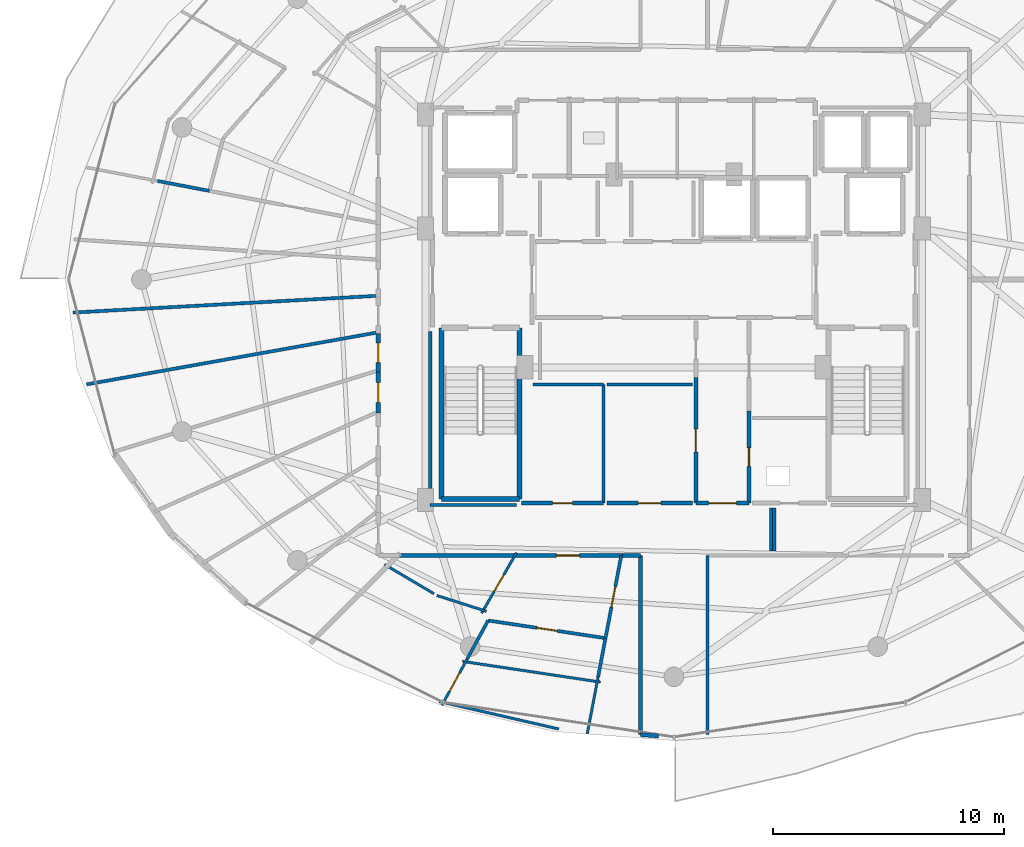
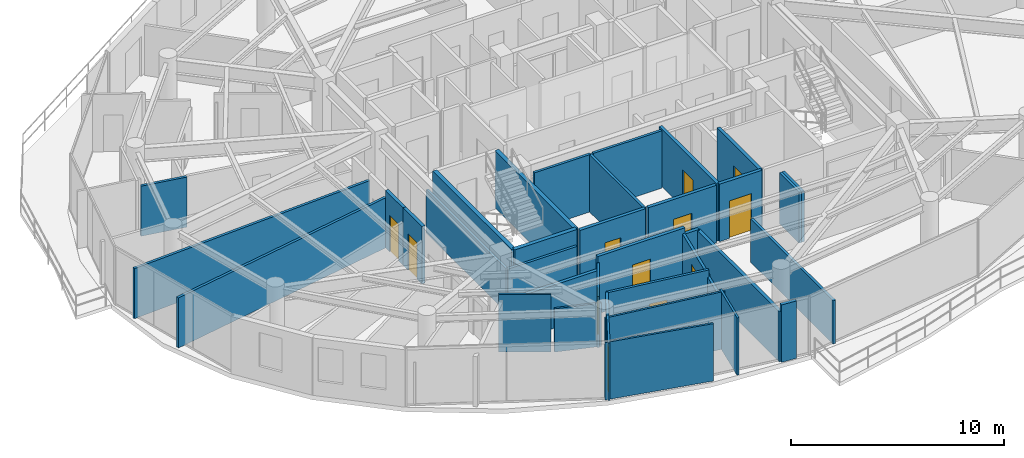
# One storey, part 21 of 29: 37 walls, 12 doors, 12 openings.
"""IFC4 building model written with IfcOpenShell, lengths in metres."""

from ifc_helpers import new_model, si_unit, direction, frame, frame_2d, origin, place, context, subcontext, project, spatial, rectangle, extrude, material, layer, layer_set, type_object, element, fill, save


model = new_model("IFC4")

# Units and contexts
model_context = context("Model", 3, precision=1e-05, world=origin(), true_north=direction((0.0, 1.0)))
body_context = subcontext(model_context, "Body", "Model", "MODEL_VIEW")
ifc_project = project(units=[si_unit("LENGTHUNIT", "METRE"), si_unit("AREAUNIT", "SQUARE_METRE"), si_unit("VOLUMEUNIT", "CUBIC_METRE"), si_unit("PLANEANGLEUNIT", "RADIAN"), si_unit("MASSUNIT", "GRAM", prefix="KILO")], contexts=[model_context])

# Site, building, storey
site_placement = place(None, origin())
site = spatial("IfcSite", under=ifc_project, at=site_placement, CompositionType="ELEMENT")
building_placement = place(site_placement, origin())
building = spatial("IfcBuilding", under=site, at=building_placement, Name="Vorneva Point Tower", CompositionType="ELEMENT")
storey_placement = place(building_placement, frame((0.0, 0.0, 273.300048828125)))
storey = spatial("IfcBuildingStorey", under=building, at=storey_placement, Name="L74", CompositionType="ELEMENT", Elevation=273.300048828125)

# Wall, opening, door
ifc_material_1 = material(Name="Fire-rated acoustic gypsum stud partition", Category="gypsum")
ifc_layer_1 = layer(ifc_material_1, 0.110107421875)
ifc_layer_set_1 = layer_set([ifc_layer_1], Name="Fire-rated acoustic gypsum stud partition")
wall_type_1 = type_object("IfcWallType", Name="WL-PART-110", PredefinedType="PARTITIONING", material=ifc_layer_set_1)
wall_1_placement = place(storey_placement, frame((31.183837890625, 14.17138671875, 0.0), z_axis=(0.0, 0.0, 1.0), x_axis=(-0.499203880251, -0.86648455609, 0.0)))
wall_1 = element("IfcWall", 1, at=wall_1_placement, inside=storey, type_object=wall_type_1, Name="L74 Interior Partition 097", PredefinedType="PARTITIONING", context=body_context, shape_type="SweptSolid", body=[
    extrude(rectangle(XDim=3.0166015625, YDim=0.110107421875, at=frame_2d((1.50830078125, 0.0))), origin(), (0.0, 0.0, 1.0), 2.924072265625),
])
opening_1_placement = place(wall_1_placement, frame((1.083251953125, 0.0, 0.0)))
opening_1 = element("IfcOpeningElement", 2, at=opening_1_placement, cuts=wall_1, Name="Opening ID-02", PredefinedType="OPENING", context=body_context, shape_type="SweptSolid", body=[
    extrude(rectangle(XDim=0.85009765625, YDim=2.10009765625, at=frame_2d((0.425048828125, 1.050048828125))), frame((0.0, 0.06982421875, 0.0), z_axis=(0.0, -1.0, 0.0), x_axis=(1.0, 0.0, 0.0)), (0.0, 0.0, 1.0), 0.139892578125),
])
ifc_material_2 = material(Name="Engineered oak fire-rated door leaf", Category="wood")
door_type_1 = type_object("IfcDoorType", Name="DR-BATH-850", OperationType="NOTDEFINED", PredefinedType="DOOR", material=ifc_material_2)
door_1_placement = place(opening_1_placement, origin())
door_1 = element("IfcDoor", 3, at=door_1_placement, inside=storey, type_object=door_type_1, Name="L74 Door Living and Dining Room L74-03 / Bathroom L74-03", OperationType="SINGLE_SWING_LEFT", OverallHeight=2.10009765625, OverallWidth=0.85009765625, PredefinedType="DOOR", context=body_context, shape_type="SweptSolid", body=[
    extrude(rectangle(XDim=0.85009765625, YDim=2.10009765625, at=frame_2d((0.425048828125, 1.050048828125))), frame((0.0, 0.02490234375, 0.0), z_axis=(0.0, -1.0, 0.0), x_axis=(1.0, 0.0, 0.0)), (0.0, 0.0, 1.0), 0.050048828125),
])
fill(opening_1, door_1)

# Walls
wall_2_placement = place(storey_placement, frame((29.88134765625, 11.636474609375, 0.0), z_axis=(0.0, 0.0, 1.0), x_axis=(-0.952713330874, 0.30387054674, 0.0)))
element("IfcWall", 4, at=wall_2_placement, inside=storey, type_object=wall_type_1, Name="L74 Interior Partition 098", PredefinedType="PARTITIONING", context=body_context, shape_type="SweptSolid", body=[
    extrude(rectangle(XDim=2.251220703125, YDim=0.110107421875, at=frame_2d((1.12548828125, 0.0))), origin(), (0.0, 0.0, 1.0), 2.48193359375),
])
wall_3_placement = place(storey_placement, frame((27.610595703125, 12.398681640625, 0.0), z_axis=(0.0, 0.0, 1.0), x_axis=(-0.860546797705, 0.509371386082, 0.0)))
element("IfcWall", 5, at=wall_3_placement, inside=storey, type_object=wall_type_1, Name="L74 Interior Partition 099", PredefinedType="PARTITIONING", context=body_context, shape_type="SweptSolid", body=[
    extrude(rectangle(XDim=2.484619140625, YDim=0.110107421875, at=frame_2d((1.2421875, 0.0))), origin(), (0.0, 0.0, 1.0), 3.2900390625),
])
wall_4_placement = place(storey_placement, frame((34.71630859375, 8.78857421875, 0.0), z_axis=(0.0, 0.0, 1.0), x_axis=(-0.187233159216, -0.982315501298, 0.0)))
element("IfcWall", 6, at=wall_4_placement, inside=storey, type_object=wall_type_1, Name="L74 Interior Partition 100", PredefinedType="PARTITIONING", context=body_context, shape_type="SweptSolid", body=[
    extrude(rectangle(XDim=2.502197265625, YDim=0.110107421875, at=frame_2d((1.2509765625, 0.0))), origin(), (0.0, 0.0, 1.0), 3.2900390625),
])
wall_5_placement = place(storey_placement, frame((27.82861328125, 7.7333984375, 0.0), z_axis=(0.0, 0.0, 1.0), x_axis=(0.974586324437, -0.224012268015, 0.0)))
element("IfcWall", 7, at=wall_5_placement, inside=storey, type_object=wall_type_1, Name="L74 Interior Partition 101", PredefinedType="PARTITIONING", context=body_context, shape_type="SweptSolid", body=[
    extrude(rectangle(XDim=5.324951171875, YDim=0.110107421875, at=frame_2d((2.66259765625, 0.0))), origin(), (0.0, 0.0, 1.0), 3.2900390625),
])

# Wall, opening, door
wall_6_placement = place(storey_placement, frame((27.9560546875, 7.566162109375, 0.0), z_axis=(0.0, 0.0, 1.0), x_axis=(0.478485169604, 0.878095634011, 0.0)))
wall_6 = element("IfcWall", 8, at=wall_6_placement, inside=storey, type_object=wall_type_1, Name="L74 Interior Partition 102", PredefinedType="PARTITIONING", context=body_context, shape_type="SweptSolid", body=[
    extrude(rectangle(XDim=2.284423828125, YDim=0.110107421875, at=frame_2d((1.14208984375, 0.0))), origin(), (0.0, 0.0, 1.0), 3.2900390625),
])
opening_2_placement = place(wall_6_placement, frame((0.692138671875, 0.0, 0.0)))
opening_2 = element("IfcOpeningElement", 9, at=opening_2_placement, cuts=wall_6, Name="Opening ID-01", PredefinedType="OPENING", context=body_context, shape_type="SweptSolid", body=[
    extrude(rectangle(XDim=0.89990234375, YDim=2.10009765625, at=frame_2d((0.449951171875, 1.050048828125))), frame((0.0, 0.06982421875, 0.0), z_axis=(0.0, -1.0, 0.0), x_axis=(1.0, 0.0, 0.0)), (0.0, 0.0, 1.0), 0.139892578125),
])
door_type_2 = type_object("IfcDoorType", Name="DR-ROOM-900", OperationType="NOTDEFINED", PredefinedType="DOOR", material=ifc_material_2)
door_2_placement = place(opening_2_placement, origin())
door_2 = element("IfcDoor", 10, at=door_2_placement, inside=storey, type_object=door_type_2, Name="L74 Door Living and Dining Room L74-03 / Kitchen L74-03", OperationType="SINGLE_SWING_LEFT", OverallHeight=2.10009765625, OverallWidth=0.89990234375, PredefinedType="DOOR", context=body_context, shape_type="SweptSolid", body=[
    extrude(rectangle(XDim=0.89990234375, YDim=2.10009765625, at=frame_2d((0.449951171875, 1.050048828125))), frame((0.0, 0.02490234375, 0.0), z_axis=(0.0, -1.0, 0.0), x_axis=(1.0, 0.0, 0.0)), (0.0, 0.0, 1.0), 0.050048828125),
])
fill(opening_2, door_2)

# Walls
wall_7_placement = place(storey_placement, frame((34.8173828125, 8.5712890625, 0.0), z_axis=(0.0, 0.0, 1.0), x_axis=(-0.988879067965, 0.148721850918, 0.0)))
element("IfcWall", 11, at=wall_7_placement, inside=storey, type_object=wall_type_1, Name="L74 Interior Partition 107", PredefinedType="PARTITIONING", context=body_context, shape_type="SweptSolid", body=[
    extrude(rectangle(XDim=6.041015625, YDim=0.110107421875, at=frame_2d((3.0205078125, 0.0))), origin(), (0.0, 0.0, 1.0), 3.2900390625),
])
ifc_layer_2 = layer(ifc_material_1, 0.139892578125)
ifc_layer_set_2 = layer_set([ifc_layer_2], Name="Fire-rated acoustic gypsum stud partition")
wall_type_2 = type_object("IfcWallType", Name="WL-PART-140", PredefinedType="PARTITIONING", material=ifc_layer_set_2)
wall_8_placement = place(storey_placement, frame((34.949951171875, 16.320068359375, 0.0), z_axis=(0.0, 0.0, 1.0), x_axis=(0.0, 1.0, 0.0)))
element("IfcWall", 12, at=wall_8_placement, inside=storey, type_object=wall_type_2, Name="L74 Interior Partition 033", PredefinedType="PARTITIONING", context=body_context, shape_type="SweptSolid", body=[
    extrude(rectangle(XDim=5.1298828125, YDim=0.139892578125, at=frame_2d((2.56494140625, 0.0))), origin(), (0.0, 0.0, 1.0), 3.2900390625),
])
wall_9_placement = place(storey_placement, frame((34.949951171875, 21.449951171875, 0.0), z_axis=(0.0, 0.0, 1.0), x_axis=(-1.0, 0.0, 0.0)))
element("IfcWall", 13, at=wall_9_placement, inside=storey, type_object=wall_type_2, Name="L74 Interior Partition 034", PredefinedType="PARTITIONING", context=body_context, shape_type="SweptSolid", body=[
    extrude(rectangle(XDim=3.054931640625, YDim=0.139892578125, at=frame_2d((1.52734375, 0.0))), origin(), (0.0, 0.0, 1.0), 3.2900390625),
])
wall_10_placement = place(storey_placement, frame((38.800048828125, 21.449951171875, 0.0), z_axis=(0.0, 0.0, 1.0), x_axis=(-1.0, 0.0, 0.0)))
element("IfcWall", 14, at=wall_10_placement, inside=storey, type_object=wall_type_2, Name="L74 Interior Partition 036", PredefinedType="PARTITIONING", context=body_context, shape_type="SweptSolid", body=[
    extrude(rectangle(XDim=3.699951171875, YDim=0.139892578125, at=frame_2d((1.85009765625, 0.0))), origin(), (0.0, 0.0, 1.0), 3.2900390625),
])
wall_11_placement = place(storey_placement, frame((17.888916015625, 29.8369140625, 0.0), z_axis=(0.0, 0.0, 1.0), x_axis=(-0.982294524987, 0.187343177568, 0.0)))
element("IfcWall", 15, at=wall_11_placement, inside=storey, type_object=wall_type_2, Name="L74 Interior Partition 083", PredefinedType="PARTITIONING", context=body_context, shape_type="SweptSolid", body=[
    extrude(rectangle(XDim=2.28173828125, YDim=0.139892578125, at=frame_2d((1.140869140625, 0.0))), origin(), (0.0, 0.0, 1.0), 2.8740234375),
])
wall_12_placement = place(storey_placement, frame((11.987060546875, 24.568115234375, 0.0), z_axis=(0.0, 0.0, 1.0), x_axis=(0.998486468265, 0.054997933516, 0.0)))
element("IfcWall", 16, at=wall_12_placement, inside=storey, type_object=wall_type_2, Name="L74 Interior Partition 089", PredefinedType="PARTITIONING", context=body_context, shape_type="SweptSolid", body=[
    extrude(rectangle(XDim=13.23291015625, YDim=0.139892578125, at=frame_2d((6.616455078125, 0.0))), origin(), (0.0, 0.0, 1.0), 2.8740234375),
])
wall_13_placement = place(storey_placement, frame((12.576904296875, 21.4599609375, 0.0), z_axis=(0.0, 0.0, 1.0), x_axis=(0.984427104809, 0.175793274383, 0.0)))
element("IfcWall", 17, at=wall_13_placement, inside=storey, type_object=wall_type_2, Name="L74 Interior Partition 090", PredefinedType="PARTITIONING", context=body_context, shape_type="SweptSolid", body=[
    extrude(rectangle(XDim=12.82275390625, YDim=0.139892578125, at=frame_2d((6.411376953125, 0.0))), origin(), (0.0, 0.0, 1.0), 2.8740234375),
])

# Wall, opening, door
wall_14_placement = place(storey_placement, frame((29.95703125, 11.238037109375, 0.0), z_axis=(0.0, 0.0, 1.0), x_axis=(0.988886109078, -0.148675025721, 0.0)))
wall_14 = element("IfcWall", 18, at=wall_14_placement, inside=storey, type_object=wall_type_2, Name="L74 Interior Partition 103", PredefinedType="PARTITIONING", context=body_context, shape_type="SweptSolid", body=[
    extrude(rectangle(XDim=5.13818359375, YDim=0.139892578125, at=frame_2d((2.569091796875, 0.0))), origin(), (0.0, 0.0, 1.0), 3.2900390625),
])
opening_3_placement = place(wall_14_placement, frame((2.119140625, 0.0, 0.0)))
opening_3 = element("IfcOpeningElement", 19, at=opening_3_placement, cuts=wall_14, Name="Opening ID-01", PredefinedType="OPENING", context=body_context, shape_type="SweptSolid", body=[
    extrude(rectangle(XDim=0.89990234375, YDim=2.10009765625, at=frame_2d((0.449951171875, 1.050048828125))), frame((0.0, 0.0849609375, 0.0), z_axis=(0.0, -1.0, 0.0), x_axis=(1.0, 0.0, 0.0)), (0.0, 0.0, 1.0), 0.169677734375),
])
door_3_placement = place(opening_3_placement, origin())
door_3 = element("IfcDoor", 20, at=door_3_placement, inside=storey, type_object=door_type_2, Name="L74 Door Living and Dining Room L74-03 / Study Room L74-03", OperationType="SINGLE_SWING_LEFT", OverallHeight=2.10009765625, OverallWidth=0.89990234375, PredefinedType="DOOR", context=body_context, shape_type="SweptSolid", body=[
    extrude(rectangle(XDim=0.89990234375, YDim=2.10009765625, at=frame_2d((0.449951171875, 1.050048828125))), frame((0.0, 0.02490234375, 0.0), z_axis=(0.0, -1.0, 0.0), x_axis=(1.0, 0.0, 0.0)), (0.0, 0.0, 1.0), 0.050048828125),
])
fill(opening_3, door_3)

# Walls
wall_15_placement = place(storey_placement, frame((35.0380859375, 10.47412109375, 0.0), z_axis=(0.0, 0.0, 1.0), x_axis=(-0.187353972187, -0.982292466176, 0.0)))
element("IfcWall", 21, at=wall_15_placement, inside=storey, type_object=wall_type_2, Name="L74 Interior Partition 104", PredefinedType="PARTITIONING", context=body_context, shape_type="SweptSolid", body=[
    extrude(rectangle(XDim=1.716064453125, YDim=0.139892578125, at=frame_2d((0.85791015625, 0.0))), origin(), (0.0, 0.0, 1.0), 2.8740234375),
])
wall_16_placement = place(storey_placement, frame((29.049072265625, 9.572021484375, 0.0), z_axis=(0.0, 0.0, 1.0), x_axis=(0.478536562944, 0.878067627194, 0.0)))
element("IfcWall", 22, at=wall_16_placement, inside=storey, type_object=wall_type_2, Name="L74 Interior Partition 105", PredefinedType="PARTITIONING", context=body_context, shape_type="SweptSolid", body=[
    extrude(rectangle(XDim=1.8974609375, YDim=0.139892578125, at=frame_2d((0.94873046875, 0.0))), origin(), (0.0, 0.0, 1.0), 3.2900390625),
])

# Wall, opening, door
wall_17_placement = place(storey_placement, frame((35.0380859375, 10.47412109375, 0.0), z_axis=(0.0, 0.0, 1.0), x_axis=(0.187312418361, 0.982300390882, 0.0)))
wall_17 = element("IfcWall", 23, at=wall_17_placement, inside=storey, type_object=wall_type_2, Name="L74 Interior Partition 106", PredefinedType="PARTITIONING", context=body_context, shape_type="SweptSolid", body=[
    extrude(rectangle(XDim=3.640380859375, YDim=0.139892578125, at=frame_2d((1.8203125, 0.0))), origin(), (0.0, 0.0, 1.0), 2.97900390625),
])
opening_4_placement = place(wall_17_placement, frame((1.3701171875, 0.0, 0.0)))
opening_4 = element("IfcOpeningElement", 24, at=opening_4_placement, cuts=wall_17, Name="Opening ID-01", PredefinedType="OPENING", context=body_context, shape_type="SweptSolid", body=[
    extrude(rectangle(XDim=0.89990234375, YDim=2.10009765625, at=frame_2d((0.449951171875, 1.050048828125))), frame((0.0, 0.0849609375, 0.0), z_axis=(0.0, -1.0, 0.0), x_axis=(1.0, 0.0, 0.0)), (0.0, 0.0, 1.0), 0.169677734375),
])
door_4_placement = place(opening_4_placement, origin())
door_4 = element("IfcDoor", 25, at=door_4_placement, inside=storey, type_object=door_type_2, Name="L74 Door Living and Dining Room L74-03 / Master Bedroom L74-03.1", OperationType="SINGLE_SWING_RIGHT", OverallHeight=2.10009765625, OverallWidth=0.89990234375, PredefinedType="DOOR", context=body_context, shape_type="SweptSolid", body=[
    extrude(rectangle(XDim=0.89990234375, YDim=2.10009765625, at=frame_2d((0.449951171875, 1.050048828125))), frame((0.0, 0.02490234375, 0.0), z_axis=(0.0, -1.0, 0.0), x_axis=(1.0, 0.0, 0.0)), (0.0, 0.0, 1.0), 0.050048828125),
])
fill(opening_4, door_4)

# Walls
wall_18_placement = place(storey_placement, frame((39.449951171875, 6.299072265625, 0.0), z_axis=(0.0, 0.0, 1.0), x_axis=(0.0, 1.0, 0.0)))
element("IfcWall", 26, at=wall_18_placement, inside=storey, type_object=wall_type_2, Name="L74 Interior Closure Partition 120", PredefinedType="PARTITIONING", context=body_context, shape_type="SweptSolid", body=[
    extrude(rectangle(XDim=7.7509765625, YDim=0.139892578125, at=frame_2d((3.87548828125, 0.0))), origin(), (0.0, 0.0, 1.0), 2.48193359375),
])
wall_19_placement = place(storey_placement, frame((27.449951171875, 23.75390625, 0.0), z_axis=(0.0, 0.0, 1.0), x_axis=(0.0, -1.0, 0.0)))
element("IfcWall", 27, at=wall_19_placement, inside=storey, type_object=wall_type_2, Name="L74 Interior Closure Partition 129", PredefinedType="PARTITIONING", context=body_context, shape_type="SweptSolid", body=[
    extrude(rectangle(XDim=7.513916015625, YDim=0.139892578125, at=frame_2d((3.7568359375, 0.0))), origin(), (0.0, 0.0, 1.0), 2.48193359375),
])
wall_20_placement = place(storey_placement, frame((27.449951171875, 16.239990234375, 0.0), z_axis=(0.0, 0.0, 1.0), x_axis=(1.0, 0.0, 0.0)))
element("IfcWall", 28, at=wall_20_placement, inside=storey, type_object=wall_type_2, Name="L74 Interior Closure Partition 130", PredefinedType="PARTITIONING", context=body_context, shape_type="SweptSolid", body=[
    extrude(rectangle(XDim=3.7451171875, YDim=0.139892578125, at=frame_2d((1.87255859375, 0.0))), origin(), (0.0, 0.0, 1.0), 2.48193359375),
])
for number, where, z_axis, x_axis, name in (
    (29, (42.199951171875, 16.10009765625, 0.0), (0.0, 0.0, 1.0), (0.0, -1.0, 0.0), "L74 Interior Closure Partition 131"),
    (30, (42.340087890625, 14.25, 0.0), (0.0, 0.0, 1.0), (0.0, 1.0, 0.0), "L74 Interior Closure Partition 132"),
):
    element("IfcWall", number, at=place(storey_placement, frame(where, z_axis=z_axis, x_axis=x_axis)), inside=storey, type_object=wall_type_2, Name=name, PredefinedType="PARTITIONING", context=body_context, shape_type="SweptSolid", body=[
        extrude(rectangle(XDim=1.85009765625, YDim=0.139892578125, at=frame_2d((0.925048828125, 0.0))), origin(), (0.0, 0.0, 1.0), 2.924072265625),
    ])

# Wall, opening, door
ifc_material_3 = material(Name="Autoclaved aerated concrete blockwork", Category="masonry")
ifc_layer_3 = layer(ifc_material_3, 0.179931640625)
ifc_layer_set_3 = layer_set([ifc_layer_3], Name="Autoclaved aerated concrete blockwork")
wall_type_3 = type_object("IfcWallType", Name="WL-PART-180", PredefinedType="PARTITIONING", material=ifc_layer_set_3)
wall_21_placement = place(storey_placement, frame((41.25, 16.320068359375, 0.0), z_axis=(0.0, 0.0, 1.0), x_axis=(0.0, 1.0, 0.0)))
wall_21 = element("IfcWall", 31, at=wall_21_placement, inside=storey, type_object=wall_type_3, Name="L74 Interior Partition 015", PredefinedType="PARTITIONING", context=body_context, shape_type="SweptSolid", body=[
    extrude(rectangle(XDim=3.98486328125, YDim=0.179931640625, at=frame_2d((1.992431640625, 0.0))), origin(), (0.0, 0.0, 1.0), 3.2900390625),
])
opening_5_placement = place(wall_21_placement, frame((1.592529296875, 0.0, 0.0)))
opening_5 = element("IfcOpeningElement", 32, at=opening_5_placement, cuts=wall_21, Name="Opening RD-01", PredefinedType="OPENING", context=body_context, shape_type="SweptSolid", body=[
    extrude(rectangle(XDim=0.800048828125, YDim=2.050048828125, at=frame_2d((0.39990234375, 1.02490234375))), frame((0.0, 0.10498046875, 0.0), z_axis=(0.0, -1.0, 0.0), x_axis=(1.0, 0.0, 0.0)), (0.0, 0.0, 1.0), 0.209716796875),
])
ifc_material_4 = material(Name="Fire-rated powder-coated steel", Category="steel")
door_type_3 = type_object("IfcDoorType", Name="DR-RSR-800", OperationType="SINGLE_SWING_LEFT", PredefinedType="DOOR", material=ifc_material_4)
door_5_placement = place(opening_5_placement, origin())
door_5 = element("IfcDoor", 33, at=door_5_placement, inside=storey, type_object=door_type_3, Name="L74 Door Core Service Lobby / Electrical Riser", OperationType="SINGLE_SWING_LEFT", OverallHeight=2.050048828125, OverallWidth=0.800048828125, PredefinedType="DOOR", context=body_context, shape_type="SweptSolid", body=[
    extrude(rectangle(XDim=0.800048828125, YDim=2.050048828125, at=frame_2d((0.39990234375, 1.02490234375))), frame((0.0, 0.02490234375, 0.0), z_axis=(0.0, -1.0, 0.0), x_axis=(1.0, 0.0, 0.0)), (0.0, 0.0, 1.0), 0.050048828125),
])
fill(opening_5, door_5)

wall_22_placement = place(storey_placement, frame((38.949951171875, 21.7548828125, 0.0), z_axis=(0.0, 0.0, 1.0), x_axis=(0.0, -1.0, 0.0)))
wall_22 = element("IfcWall", 34, at=wall_22_placement, inside=storey, type_object=wall_type_3, Name="L74 Interior Partition 017", PredefinedType="PARTITIONING", context=body_context, shape_type="SweptSolid", body=[
    extrude(rectangle(XDim=5.434814453125, YDim=0.179931640625, at=frame_2d((2.71728515625, 0.0))), origin(), (0.0, 0.0, 1.0), 3.2900390625),
])
opening_6_placement = place(wall_22_placement, frame((2.217529296875, 0.0, 0.0)))
opening_6 = element("IfcOpeningElement", 35, at=opening_6_placement, cuts=wall_22, Name="Opening UD-01", PredefinedType="OPENING", context=body_context, shape_type="SweptSolid", body=[
    extrude(rectangle(XDim=1.0, YDim=2.14990234375, at=frame_2d((0.5, 1.074951171875))), frame((0.0, 0.10498046875, 0.0), z_axis=(0.0, -1.0, 0.0), x_axis=(1.0, 0.0, 0.0)), (0.0, 0.0, 1.0), 0.209716796875),
])
door_type_4 = type_object("IfcDoorType", Name="DR-UNIT-1000", OperationType="NOTDEFINED", PredefinedType="DOOR", material=ifc_material_2)
door_6_placement = place(opening_6_placement, origin())
door_6 = element("IfcDoor", 36, at=door_6_placement, inside=storey, type_object=door_type_4, Name="L74 Door Core Service Lobby / Staff Service Pantry", OperationType="SINGLE_SWING_LEFT", OverallHeight=2.14990234375, OverallWidth=1.0, PredefinedType="DOOR", context=body_context, shape_type="SweptSolid", body=[
    extrude(rectangle(XDim=1.0, YDim=2.14990234375, at=frame_2d((0.5, 1.074951171875))), frame((0.0, 0.02490234375, 0.0), z_axis=(0.0, -1.0, 0.0), x_axis=(1.0, 0.0, 0.0)), (0.0, 0.0, 1.0), 0.050048828125),
])
fill(opening_6, door_6)

wall_23_placement = place(storey_placement, frame((38.949951171875, 16.320068359375, 0.0), z_axis=(0.0, 0.0, 1.0), x_axis=(1.0, 0.0, 0.0)))
wall_23 = element("IfcWall", 37, at=wall_23_placement, inside=storey, type_object=wall_type_3, Name="L74 Interior Partition 019", PredefinedType="PARTITIONING", context=body_context, shape_type="SweptSolid", body=[
    extrude(rectangle(XDim=2.300048828125, YDim=0.179931640625, at=frame_2d((1.14990234375, 0.0))), origin(), (0.0, 0.0, 1.0), 3.2900390625),
])
opening_7_placement = place(wall_23_placement, frame((0.550048828125, 0.0, 0.0)))
opening_7 = element("IfcOpeningElement", 38, at=opening_7_placement, cuts=wall_23, Name="Opening FD-02", PredefinedType="OPENING", context=body_context, shape_type="SweptSolid", body=[
    extrude(rectangle(XDim=1.199951171875, YDim=2.14990234375, at=frame_2d((0.60009765625, 1.074951171875))), frame((0.0, 0.10498046875, 0.0), z_axis=(0.0, -1.0, 0.0), x_axis=(1.0, 0.0, 0.0)), (0.0, 0.0, 1.0), 0.209716796875),
])
door_type_5 = type_object("IfcDoorType", Name="DR-FFL-1200", OperationType="NOTDEFINED", PredefinedType="DOOR", material=ifc_material_4)
door_7_placement = place(opening_7_placement, origin())
door_7 = element("IfcDoor", 39, at=door_7_placement, inside=storey, type_object=door_type_5, Name="L74 Door Core Service Lobby / L74 Circulation Corridor", OperationType="SINGLE_SWING_LEFT", OverallHeight=2.14990234375, OverallWidth=1.199951171875, PredefinedType="DOOR", context=body_context, shape_type="SweptSolid", body=[
    extrude(rectangle(XDim=1.199951171875, YDim=2.14990234375, at=frame_2d((0.60009765625, 1.074951171875))), frame((0.0, 0.02490234375, 0.0), z_axis=(0.0, -1.0, 0.0), x_axis=(1.0, 0.0, 0.0)), (0.0, 0.0, 1.0), 0.050048828125),
])
fill(opening_7, door_7)

wall_24_placement = place(storey_placement, frame((31.39990234375, 16.320068359375, 0.0), z_axis=(0.0, 0.0, 1.0), x_axis=(1.0, 0.0, 0.0)))
wall_24 = element("IfcWall", 40, at=wall_24_placement, inside=storey, type_object=wall_type_3, Name="L74 Interior Partition 035", PredefinedType="PARTITIONING", context=body_context, shape_type="SweptSolid", body=[
    extrude(rectangle(XDim=3.550048828125, YDim=0.179931640625, at=frame_2d((1.77490234375, 0.0))), origin(), (0.0, 0.0, 1.0), 3.2900390625),
])
opening_8_placement = place(wall_24_placement, frame((1.35009765625, 0.0, 0.0)))
opening_8 = element("IfcOpeningElement", 41, at=opening_8_placement, cuts=wall_24, Name="Opening ID-02", PredefinedType="OPENING", context=body_context, shape_type="SweptSolid", body=[
    extrude(rectangle(XDim=0.85009765625, YDim=2.10009765625, at=frame_2d((0.425048828125, 1.050048828125))), frame((0.0, 0.10498046875, 0.0), z_axis=(0.0, -1.0, 0.0), x_axis=(1.0, 0.0, 0.0)), (0.0, 0.0, 1.0), 0.209716796875),
])
door_8_placement = place(opening_8_placement, origin())
door_8 = element("IfcDoor", 42, at=door_8_placement, inside=storey, type_object=door_type_1, Name="L74 Door Luggage Store / L74 Circulation Corridor", OperationType="SINGLE_SWING_LEFT", OverallHeight=2.10009765625, OverallWidth=0.85009765625, PredefinedType="DOOR", context=body_context, shape_type="SweptSolid", body=[
    extrude(rectangle(XDim=0.85009765625, YDim=2.10009765625, at=frame_2d((0.425048828125, 1.050048828125))), frame((0.0, 0.02490234375, 0.0), z_axis=(0.0, -1.0, 0.0), x_axis=(1.0, 0.0, 0.0)), (0.0, 0.0, 1.0), 0.050048828125),
])
fill(opening_8, door_8)

wall_25_placement = place(storey_placement, frame((35.10009765625, 16.320068359375, 0.0), z_axis=(0.0, 0.0, 1.0), x_axis=(1.0, 0.0, 0.0)))
wall_25 = element("IfcWall", 43, at=wall_25_placement, inside=storey, type_object=wall_type_3, Name="L74 Interior Partition 037", PredefinedType="PARTITIONING", context=body_context, shape_type="SweptSolid", body=[
    extrude(rectangle(XDim=3.699951171875, YDim=0.179931640625, at=frame_2d((1.85009765625, 0.0))), origin(), (0.0, 0.0, 1.0), 3.2900390625),
])
opening_9_placement = place(wall_25_placement, frame((1.35009765625, 0.0, 0.0)))
opening_9 = element("IfcOpeningElement", 44, at=opening_9_placement, cuts=wall_25, Name="Opening UD-01", PredefinedType="OPENING", context=body_context, shape_type="SweptSolid", body=[
    extrude(rectangle(XDim=1.0, YDim=2.14990234375, at=frame_2d((0.5, 1.074951171875))), frame((0.0, 0.10498046875, 0.0), z_axis=(0.0, -1.0, 0.0), x_axis=(1.0, 0.0, 0.0)), (0.0, 0.0, 1.0), 0.209716796875),
])
door_9_placement = place(opening_9_placement, origin())
door_9 = element("IfcDoor", 45, at=door_9_placement, inside=storey, type_object=door_type_4, Name="L74 Door Staff Service Pantry / L74 Circulation Corridor", OperationType="SINGLE_SWING_RIGHT", OverallHeight=2.14990234375, OverallWidth=1.0, PredefinedType="DOOR", context=body_context, shape_type="SweptSolid", body=[
    extrude(rectangle(XDim=1.0, YDim=2.14990234375, at=frame_2d((0.5, 1.074951171875))), frame((0.0, 0.02490234375, 0.0), z_axis=(0.0, -1.0, 0.0), x_axis=(1.0, 0.0, 0.0)), (0.0, 0.0, 1.0), 0.050048828125),
])
fill(opening_9, door_9)

wall_26_placement = place(storey_placement, frame((25.199951171875, 23.653076171875, 0.0), z_axis=(0.0, 0.0, 1.0), x_axis=(0.0, -1.0, 0.0)))
wall_26 = element("IfcWall", 46, at=wall_26_placement, inside=storey, type_object=wall_type_3, Name="L74 Interior Partition 048", PredefinedType="PARTITIONING", context=body_context, shape_type="SweptSolid", body=[
    extrude(rectangle(XDim=1.654052734375, YDim=0.179931640625, at=frame_2d((0.8271484375, 0.0))), origin(), (0.0, 0.0, 1.0), 3.2900390625),
])
opening_10_placement = place(wall_26_placement, frame((0.402099609375, 0.0, 0.0)))
opening_10 = element("IfcOpeningElement", 47, at=opening_10_placement, cuts=wall_26, Name="Opening ID-02", PredefinedType="OPENING", context=body_context, shape_type="SweptSolid", body=[
    extrude(rectangle(XDim=0.85009765625, YDim=2.10009765625, at=frame_2d((0.425048828125, 1.050048828125))), frame((0.0, 0.10498046875, 0.0), z_axis=(0.0, -1.0, 0.0), x_axis=(1.0, 0.0, 0.0)), (0.0, 0.0, 1.0), 0.209716796875),
])
door_10_placement = place(opening_10_placement, origin())
door_10 = element("IfcDoor", 48, at=door_10_placement, inside=storey, type_object=door_type_1, Name="L74 Access Door L74 Circulation Corridor", OperationType="SINGLE_SWING_LEFT", OverallHeight=2.10009765625, OverallWidth=0.85009765625, PredefinedType="DOOR", context=body_context, shape_type="SweptSolid", body=[
    extrude(rectangle(XDim=0.85009765625, YDim=2.10009765625, at=frame_2d((0.425048828125, 1.050048828125))), frame((0.0, 0.02490234375, 0.0), z_axis=(0.0, -1.0, 0.0), x_axis=(1.0, 0.0, 0.0)), (0.0, 0.0, 1.0), 0.050048828125),
])
fill(opening_10, door_10)

wall_27_placement = place(storey_placement, frame((25.199951171875, 21.9990234375, 0.0), z_axis=(0.0, 0.0, 1.0), x_axis=(0.0, -1.0, 0.0)))
wall_27 = element("IfcWall", 49, at=wall_27_placement, inside=storey, type_object=wall_type_3, Name="L74 Interior Partition 049", PredefinedType="PARTITIONING", context=body_context, shape_type="SweptSolid", body=[
    extrude(rectangle(XDim=1.783935546875, YDim=0.179931640625, at=frame_2d((0.89208984375, 0.0))), origin(), (0.0, 0.0, 1.0), 3.2900390625),
])
opening_11_placement = place(wall_27_placement, frame((0.467041015625, 0.0, 0.0)))
opening_11 = element("IfcOpeningElement", 50, at=opening_11_placement, cuts=wall_27, Name="Opening ID-02", PredefinedType="OPENING", context=body_context, shape_type="SweptSolid", body=[
    extrude(rectangle(XDim=0.85009765625, YDim=2.10009765625, at=frame_2d((0.425048828125, 1.050048828125))), frame((0.0, 0.10498046875, 0.0), z_axis=(0.0, -1.0, 0.0), x_axis=(1.0, 0.0, 0.0)), (0.0, 0.0, 1.0), 0.209716796875),
])
door_11_placement = place(opening_11_placement, origin())
door_11 = element("IfcDoor", 51, at=door_11_placement, inside=storey, type_object=door_type_1, Name="L74 Access Door L74 Circulation Corridor", OperationType="SINGLE_SWING_RIGHT", OverallHeight=2.10009765625, OverallWidth=0.85009765625, PredefinedType="DOOR", context=body_context, shape_type="SweptSolid", body=[
    extrude(rectangle(XDim=0.85009765625, YDim=2.10009765625, at=frame_2d((0.425048828125, 1.050048828125))), frame((0.0, 0.02490234375, 0.0), z_axis=(0.0, -1.0, 0.0), x_axis=(1.0, 0.0, 0.0)), (0.0, 0.0, 1.0), 0.050048828125),
])
fill(opening_11, door_11)

wall_28_placement = place(storey_placement, frame((31.044921875, 14.050048828125, 0.0), z_axis=(0.0, 0.0, 1.0), x_axis=(1.0, 0.0, 0.0)))
wall_28 = element("IfcWall", 52, at=wall_28_placement, inside=storey, type_object=wall_type_3, Name="L74 Interior Partition 054", PredefinedType="PARTITIONING", context=body_context, shape_type="SweptSolid", body=[
    extrude(rectangle(XDim=4.735107421875, YDim=0.179931640625, at=frame_2d((2.36767578125, 0.0))), origin(), (0.0, 0.0, 1.0), 3.2900390625),
])
opening_12_placement = place(wall_28_placement, frame((1.867431640625, 0.0, 0.0)))
opening_12 = element("IfcOpeningElement", 53, at=opening_12_placement, cuts=wall_28, Name="Opening UD-01", PredefinedType="OPENING", context=body_context, shape_type="SweptSolid", body=[
    extrude(rectangle(XDim=1.0, YDim=2.14990234375, at=frame_2d((0.5, 1.074951171875))), frame((0.0, 0.10498046875, 0.0), z_axis=(0.0, -1.0, 0.0), x_axis=(1.0, 0.0, 0.0)), (0.0, 0.0, 1.0), 0.209716796875),
])
door_12_placement = place(opening_12_placement, origin())
door_12 = element("IfcDoor", 54, at=door_12_placement, inside=storey, type_object=door_type_4, Name="L74 Door L74 Circulation Corridor / Living and Dining Room L74-03", OperationType="SINGLE_SWING_LEFT", OverallHeight=2.14990234375, OverallWidth=1.0, PredefinedType="DOOR", context=body_context, shape_type="SweptSolid", body=[
    extrude(rectangle(XDim=1.0, YDim=2.14990234375, at=frame_2d((0.5, 1.074951171875))), frame((0.0, 0.02490234375, 0.0), z_axis=(0.0, -1.0, 0.0), x_axis=(1.0, 0.0, 0.0)), (0.0, 0.0, 1.0), 0.050048828125),
])
fill(opening_12, door_12)

# Walls
wall_29_placement = place(storey_placement, frame((25.969970703125, 14.050048828125, 0.0), z_axis=(0.0, 0.0, 1.0), x_axis=(1.0, 0.0, 0.0)))
element("IfcWall", 55, at=wall_29_placement, inside=storey, type_object=wall_type_3, Name="L74 Interior Partition 055", PredefinedType="PARTITIONING", context=body_context, shape_type="SweptSolid", body=[
    extrude(rectangle(XDim=5.215087890625, YDim=0.179931640625, at=frame_2d((2.607421875, 0.0))), origin(), (0.0, 0.0, 1.0), 2.48193359375),
])
wall_30_placement = place(storey_placement, frame((35.780029296875, 14.050048828125, 0.0), z_axis=(0.0, 0.0, 1.0), x_axis=(1.0, 0.0, 0.0)))
element("IfcWall", 56, at=wall_30_placement, inside=storey, type_object=wall_type_3, Name="L74 Interior Partition 056", PredefinedType="PARTITIONING", context=body_context, shape_type="SweptSolid", body=[
    extrude(rectangle(XDim=0.77001953125, YDim=0.179931640625, at=frame_2d((0.385009765625, 0.0))), origin(), (0.0, 0.0, 1.0), 2.924072265625),
])
wall_31_placement = place(storey_placement, frame((36.550048828125, 14.050048828125, 0.0), z_axis=(0.0, 0.0, 1.0), x_axis=(0.0, -1.0, 0.0)))
element("IfcWall", 57, at=wall_31_placement, inside=storey, type_object=wall_type_3, Name="L74 Interior Partition 057", PredefinedType="PARTITIONING", context=body_context, shape_type="SweptSolid", body=[
    extrude(rectangle(XDim=7.7509765625, YDim=0.179931640625, at=frame_2d((3.87548828125, 0.0))), origin(), (0.0, 0.0, 1.0), 2.8740234375),
])
wall_32_placement = place(storey_placement, frame((36.550048828125, 6.299072265625, 0.0), z_axis=(0.0, 0.0, 1.0), x_axis=(0.997136622012, -0.0756211415, 0.0)))
element("IfcWall", 58, at=wall_32_placement, inside=storey, type_object=wall_type_3, Name="L74 Interior Partition 058", PredefinedType="PARTITIONING", context=body_context, shape_type="SweptSolid", body=[
    extrude(rectangle(XDim=0.78125, YDim=0.179931640625, at=frame_2d((0.390625, 0.0))), origin(), (0.0, 0.0, 1.0), 3.2900390625),
])
ifc_material_5 = material(Name="Concrete B50 (C40/50)", Category="concrete")
ifc_layer_4 = layer(ifc_material_5, 0.219970703125)
ifc_layer_set_4 = layer_set([ifc_layer_4], Name="Concrete B50 (C40/50)")
wall_type_4 = type_object("IfcWallType", Name="WL-SHFT-220", PredefinedType="SOLIDWALL", material=ifc_layer_set_4)
wall_33_placement = place(storey_placement, frame((31.31005859375, 23.909912109375, 0.0), z_axis=(0.0, 0.0, 1.0), x_axis=(0.0, -1.0, 0.0)))
element("IfcWall", 59, at=wall_33_placement, inside=storey, type_object=wall_type_4, Name="L74 Exit Stair ST1 Shaft Wall right", PredefinedType="SOLIDWALL", context=body_context, shape_type="SweptSolid", body=[
    extrude(rectangle(XDim=7.419921875, YDim=0.219970703125, at=frame_2d((3.7099609375, 0.0))), origin(), (0.0, 0.0, 1.0), 3.2900390625),
])
wall_34_placement = place(storey_placement, frame((31.31005859375, 16.489990234375, 0.0), z_axis=(0.0, 0.0, 1.0), x_axis=(-1.0, 0.0, 0.0)))
element("IfcWall", 60, at=wall_34_placement, inside=storey, type_object=wall_type_4, Name="L74 Exit Stair ST1 Shaft Wall far", PredefinedType="SOLIDWALL", context=body_context, shape_type="SweptSolid", body=[
    extrude(rectangle(XDim=3.3701171875, YDim=0.219970703125, at=frame_2d((1.68505859375, 0.0))), origin(), (0.0, 0.0, 1.0), 3.2900390625),
])
wall_35_placement = place(storey_placement, frame((27.93994140625, 16.489990234375, 0.0), z_axis=(0.0, 0.0, 1.0), x_axis=(0.0, 1.0, 0.0)))
element("IfcWall", 61, at=wall_35_placement, inside=storey, type_object=wall_type_4, Name="L74 Exit Stair ST1 Shaft Wall left", PredefinedType="SOLIDWALL", context=body_context, shape_type="SweptSolid", body=[
    extrude(rectangle(XDim=7.419921875, YDim=0.219970703125, at=frame_2d((3.7099609375, 0.0))), origin(), (0.0, 0.0, 1.0), 3.2900390625),
])

save(model, "model.ifc")
